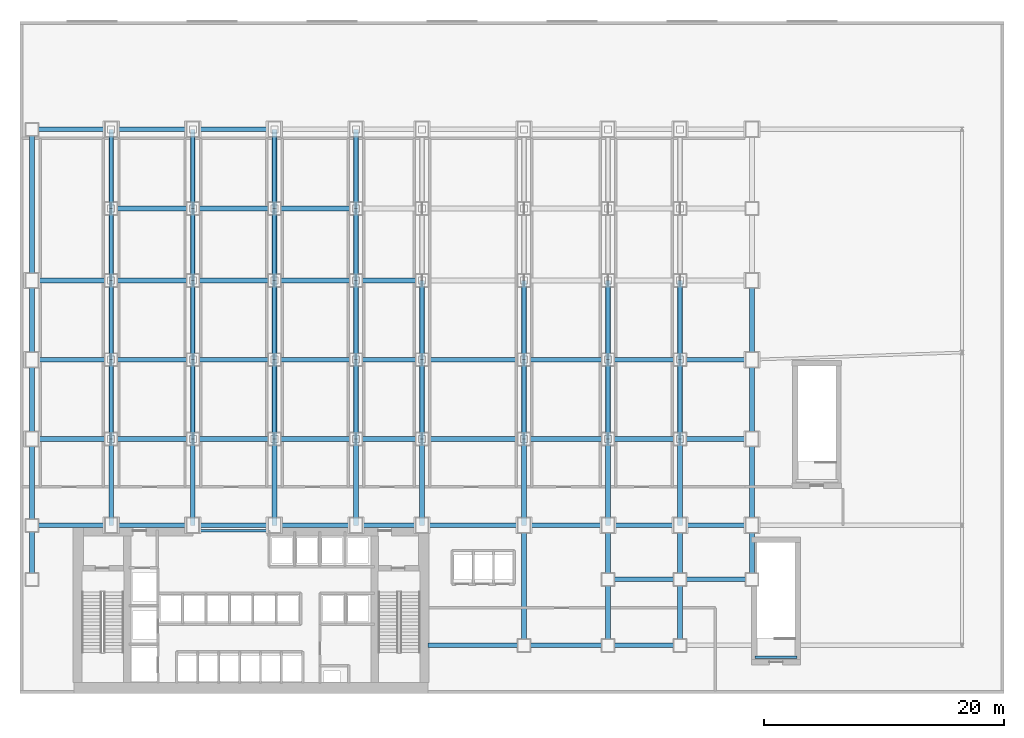
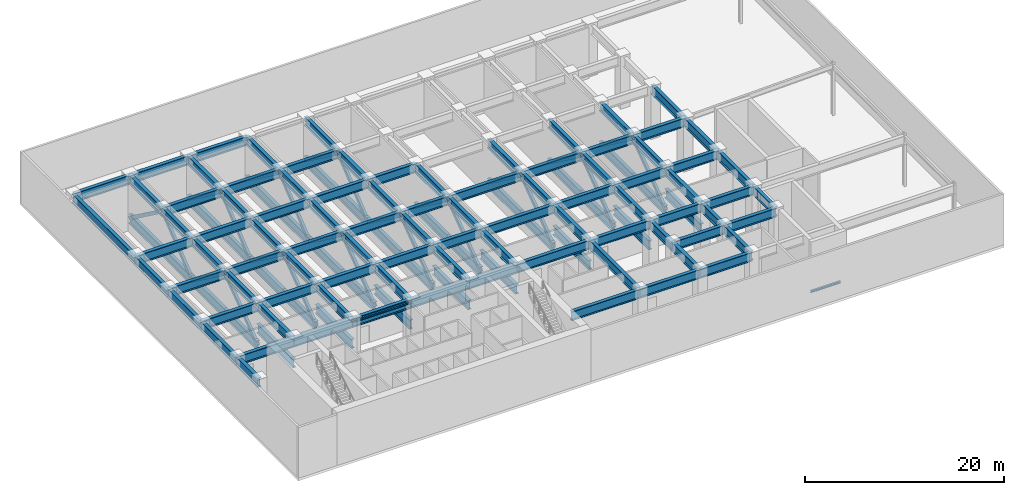
# One storey, part 4 of 15: 123 beams, 24 members.
"""IFC4 building model written with IfcOpenShell, lengths in metres."""

from ifc_helpers import new_model, si_unit, derived_unit, direction, frame, origin, origin_2d, place, context, subcontext, project, spatial, hollow_rectangle, i_section, extrude, source, transform, mapped, material, material_profile, profile_set, type_object, element, save


model = new_model("IFC4")

# Units and contexts
model_context = context("Model", 3, precision=1e-05, world=origin(), true_north=direction((0.0, 1.0)))
body_context = subcontext(model_context, "Body", "Model", "MODEL_VIEW")
ifc_project = project(units=[si_unit("LENGTHUNIT", "METRE"), si_unit("AREAUNIT", "SQUARE_METRE"), si_unit("VOLUMEUNIT", "CUBIC_METRE"), si_unit("PLANEANGLEUNIT", "RADIAN"), si_unit("MASSUNIT", "GRAM", prefix="KILO"), derived_unit("THERMALTRANSMITTANCEUNIT", [(si_unit("POWERUNIT", "WATT"), 1), (si_unit("LENGTHUNIT", "METRE"), -2), (si_unit("THERMODYNAMICTEMPERATUREUNIT", "KELVIN"), -1)])], contexts=[model_context])

# Site, building, storey
site_placement = place(None, origin())
site = spatial("IfcSite", under=ifc_project, at=site_placement, CompositionType="ELEMENT")
building_placement = place(site_placement, origin())
building = spatial("IfcBuilding", under=site, at=building_placement, Name="Skarnbrae Concourse Arena and Tower", CompositionType="ELEMENT")
storey_placement = place(building_placement, frame((0.0, 0.0, 26.0)))
storey = spatial("IfcBuildingStorey", under=building, at=storey_placement, Name="L05", CompositionType="ELEMENT", Elevation=26.0)

# Beams
ifc_material = material(Name="Steel CSA G40.21 350W", Category="steel")
ifc_material_profile_1 = material_profile(ifc_material, i_section(OverallWidth=0.202880859375, OverallDepth=0.251953125, WebThickness=0.008056640625, FlangeThickness=0.013427734375, at=origin_2d()), Name="W250X58")
ifc_profile_set_1 = profile_set([ifc_material_profile_1], Name="Steel CSA G40.21 350W")
beam_type_1 = type_object("IfcBeamType", Name="BM-LINTEL-W250X58", PredefinedType="LINTEL", material=ifc_profile_set_1)
shared_shape_1 = source(origin(), body_context, "Body", "SweptSolid", [
    extrude(i_section(OverallWidth=0.202880859375, OverallDepth=0.251953125, WebThickness=0.008056640625, FlangeThickness=0.013427734375, at=origin_2d()), origin(), (0.0, 0.0, 1.0), 7.0),
])
beam_1_placement = place(storey_placement, frame((14.0, 13.550048828125, 6.1240234375), z_axis=(1.0, 0.0, 0.0), x_axis=(0.0, 1.0, 0.0)))
element("IfcBeam", 1, at=beam_1_placement, inside=storey, type_object=beam_type_1, Name="L05 Core portal coupling lintel", PredefinedType="LINTEL", context=body_context, shape_type="MappedRepresentation", body=[
    mapped(shared_shape_1, transform((0.0, 0.0, 0.0))),
])
ifc_material_profile_2 = material_profile(ifc_material, i_section(OverallWidth=0.405029296875, OverallDepth=1.117919921875, WebThickness=0.02587890625, FlangeThickness=0.0458984375, at=origin_2d()), Name="W1100X499")
ifc_profile_set_2 = profile_set([ifc_material_profile_2], Name="Steel CSA G40.21 350W")
beam_type_2 = type_object("IfcBeamType", Name="BM-XFER-W1100X499", PredefinedType="BEAM", material=ifc_profile_set_2)
shared_shape_2 = source(origin(), body_context, "Body", "SweptSolid", [
    extrude(i_section(OverallWidth=0.405029296875, OverallDepth=1.117919921875, WebThickness=0.02587890625, FlangeThickness=0.0458984375, at=origin_2d()), origin(), (0.0, 0.0, 1.0), 6.60009765625),
])
for number, where, z_axis, x_axis, name in (
    (2, (1.0, 47.0, 5.69091796875), (1.0, 0.0, 0.0), (0.0, 1.0, 0.0), "L05 Podium north girder 1"),
    (3, (1.0, 14.0, 5.69091796875), (1.0, 0.0, 0.0), (0.0, 1.0, 0.0), "L05 Podium south spine girder 1"),
    (4, (1.0, 21.199951171875, 5.69091796875), (0.0, 1.0, 0.0), (-1.0, 0.0, 0.0), "L05 Podium west girder 3"),
    (5, (61.0, 21.199951171875, 5.69091796875), (0.0, 1.0, 0.0), (-1.0, 0.0, 0.0), "L05 Podium east girder 3"),
    (6, (7.60009765625, 21.199951171875, 5.69091796875), (0.0, 1.0, 0.0), (-1.0, 0.0, 0.0), "L05 Arena transfer trusses T1 top chord 2"),
    (7, (7.60009765625, 21.199951171875, 0.85009765625), (0.0, 1.0, 0.0), (-1.0, 0.0, 0.0), "L05 Arena transfer trusses T1 bottom chord 2"),
    (8, (7.60009765625, 40.39990234375, 5.69091796875), (0.0, 1.0, 0.0), (-1.0, 0.0, 0.0), "L05 Arena transfer trusses T1 top chord 5"),
    (9, (7.60009765625, 40.39990234375, 0.85009765625), (0.0, 1.0, 0.0), (-1.0, 0.0, 0.0), "L05 Arena transfer trusses T1 bottom chord 5"),
    (10, (14.39990234375, 21.199951171875, 5.69091796875), (0.0, 1.0, 0.0), (-1.0, 0.0, 0.0), "L05 Arena transfer trusses T2 top chord 2"),
    (11, (14.39990234375, 21.199951171875, 0.85009765625), (0.0, 1.0, 0.0), (-1.0, 0.0, 0.0), "L05 Arena transfer trusses T2 bottom chord 2"),
    (12, (14.39990234375, 40.39990234375, 5.69091796875), (0.0, 1.0, 0.0), (-1.0, 0.0, 0.0), "L05 Arena transfer trusses T2 top chord 5"),
    (13, (14.39990234375, 40.39990234375, 0.85009765625), (0.0, 1.0, 0.0), (-1.0, 0.0, 0.0), "L05 Arena transfer trusses T2 bottom chord 5"),
    (14, (21.199951171875, 21.199951171875, 5.69091796875), (0.0, 1.0, 0.0), (-1.0, 0.0, 0.0), "L05 Arena transfer trusses T3 top chord 2"),
    (15, (21.199951171875, 21.199951171875, 0.85009765625), (0.0, 1.0, 0.0), (-1.0, 0.0, 0.0), "L05 Arena transfer trusses T3 bottom chord 2"),
    (16, (21.199951171875, 40.39990234375, 5.69091796875), (0.0, 1.0, 0.0), (-1.0, 0.0, 0.0), "L05 Arena transfer trusses T3 top chord 5"),
    (17, (21.199951171875, 40.39990234375, 0.85009765625), (0.0, 1.0, 0.0), (-1.0, 0.0, 0.0), "L05 Arena transfer trusses T3 bottom chord 5"),
    (18, (28.0, 21.199951171875, 5.69091796875), (0.0, 1.0, 0.0), (-1.0, 0.0, 0.0), "L05 Arena transfer trusses T4 top chord 2"),
    (19, (28.0, 21.199951171875, 0.85009765625), (0.0, 1.0, 0.0), (-1.0, 0.0, 0.0), "L05 Arena transfer trusses T4 bottom chord 2"),
    (20, (28.0, 40.39990234375, 5.69091796875), (0.0, 1.0, 0.0), (-1.0, 0.0, 0.0), "L05 Arena transfer trusses T4 top chord 5"),
    (21, (28.0, 40.39990234375, 0.85009765625), (0.0, 1.0, 0.0), (-1.0, 0.0, 0.0), "L05 Arena transfer trusses T4 bottom chord 5"),
    (22, (33.5, 21.199951171875, 5.69091796875), (0.0, 1.0, 0.0), (-1.0, 0.0, 0.0), "L05 Arena transfer trusses T5 top chord 2"),
    (23, (33.5, 21.199951171875, 0.85009765625), (0.0, 1.0, 0.0), (-1.0, 0.0, 0.0), "L05 Arena transfer trusses T5 bottom chord 2"),
    (24, (42.0, 21.199951171875, 5.69091796875), (0.0, 1.0, 0.0), (-1.0, 0.0, 0.0), "L05 Arena transfer trusses T6 top chord 2"),
    (25, (42.0, 21.199951171875, 0.85009765625), (0.0, 1.0, 0.0), (-1.0, 0.0, 0.0), "L05 Arena transfer trusses T6 bottom chord 2"),
    (26, (49.0, 21.199951171875, 5.69091796875), (0.0, 1.0, 0.0), (-1.0, 0.0, 0.0), "L05 Arena transfer trusses T7 top chord 2"),
    (27, (49.0, 21.199951171875, 0.85009765625), (0.0, 1.0, 0.0), (-1.0, 0.0, 0.0), "L05 Arena transfer trusses T7 bottom chord 2"),
    (28, (55.0, 21.199951171875, 5.69091796875), (0.0, 1.0, 0.0), (-1.0, 0.0, 0.0), "L05 Arena transfer trusses T8 top chord 2"),
    (29, (55.0, 21.199951171875, 0.85009765625), (0.0, 1.0, 0.0), (-1.0, 0.0, 0.0), "L05 Arena transfer trusses T8 bottom chord 2"),
    (30, (1.0, 21.199951171875, 5.69091796875), (1.0, 0.0, 0.0), (0.0, 1.0, 0.0), "L05 Transfer cross girder Y21.2-1"),
    (31, (1.0, 27.800048828125, 5.69091796875), (1.0, 0.0, 0.0), (0.0, 1.0, 0.0), "L05 Transfer cross girder Y27.8-1"),
    (32, (1.0, 34.39990234375, 5.69091796875), (1.0, 0.0, 0.0), (0.0, 1.0, 0.0), "L05 Transfer cross girder Y34.4-1"),
):
    element("IfcBeam", number, at=place(storey_placement, frame(where, z_axis=z_axis, x_axis=x_axis)), inside=storey, type_object=beam_type_2, Name=name, PredefinedType="BEAM", context=body_context, shape_type="MappedRepresentation", body=[
        mapped(shared_shape_2, transform((0.0, 0.0, 0.0))),
    ])
shared_shape_3 = source(origin(), body_context, "Body", "SweptSolid", [
    extrude(i_section(OverallWidth=0.405029296875, OverallDepth=1.117919921875, WebThickness=0.02587890625, FlangeThickness=0.0458984375, at=origin_2d()), origin(), (0.0, 0.0, 1.0), 6.7998046875),
])
for number, where, z_axis, x_axis, name in (
    (33, (7.60009765625, 47.0, 5.69091796875), (1.0, 0.0, 0.0), (0.0, 1.0, 0.0), "L05 Podium north girder 2"),
    (34, (7.60009765625, 14.0, 5.69091796875), (1.0, 0.0, 0.0), (0.0, 1.0, 0.0), "L05 Podium south spine girder 2"),
    (35, (7.60009765625, 21.199951171875, 5.69091796875), (1.0, 0.0, 0.0), (0.0, 1.0, 0.0), "L05 Transfer cross girder Y21.2-2"),
    (36, (7.60009765625, 27.800048828125, 5.69091796875), (1.0, 0.0, 0.0), (0.0, 1.0, 0.0), "L05 Transfer cross girder Y27.8-2"),
    (37, (7.60009765625, 34.39990234375, 5.69091796875), (1.0, 0.0, 0.0), (0.0, 1.0, 0.0), "L05 Transfer cross girder Y34.4-2"),
    (38, (7.60009765625, 40.39990234375, 5.69091796875), (1.0, 0.0, 0.0), (0.0, 1.0, 0.0), "L05 Transfer cross girder Y40.4-2"),
):
    element("IfcBeam", number, at=place(storey_placement, frame(where, z_axis=z_axis, x_axis=x_axis)), inside=storey, type_object=beam_type_2, Name=name, PredefinedType="BEAM", context=body_context, shape_type="MappedRepresentation", body=[
        mapped(shared_shape_3, transform((0.0, 0.0, 0.0))),
    ])
shared_shape_4 = source(origin(), body_context, "Body", "SweptSolid", [
    extrude(i_section(OverallWidth=0.405029296875, OverallDepth=1.117919921875, WebThickness=0.02587890625, FlangeThickness=0.0458984375, at=origin_2d()), origin(), (0.0, 0.0, 1.0), 6.800048828125),
])
for number, where, z_axis, x_axis, name in (
    (39, (14.39990234375, 47.0, 5.69091796875), (1.0, 0.0, 0.0), (0.0, 1.0, 0.0), "L05 Podium north girder 3"),
    (40, (14.39990234375, 14.0, 5.69091796875), (1.0, 0.0, 0.0), (0.0, 1.0, 0.0), "L05 Podium south spine girder 3"),
    (41, (21.199951171875, 14.0, 5.69091796875), (1.0, 0.0, 0.0), (0.0, 1.0, 0.0), "L05 Podium south spine girder 4"),
    (42, (14.39990234375, 21.199951171875, 5.69091796875), (1.0, 0.0, 0.0), (0.0, 1.0, 0.0), "L05 Transfer cross girder Y21.2-3"),
    (43, (21.199951171875, 21.199951171875, 5.69091796875), (1.0, 0.0, 0.0), (0.0, 1.0, 0.0), "L05 Transfer cross girder Y21.2-4"),
    (44, (14.39990234375, 27.800048828125, 5.69091796875), (1.0, 0.0, 0.0), (0.0, 1.0, 0.0), "L05 Transfer cross girder Y27.8-3"),
    (45, (21.199951171875, 27.800048828125, 5.69091796875), (1.0, 0.0, 0.0), (0.0, 1.0, 0.0), "L05 Transfer cross girder Y27.8-4"),
    (46, (14.39990234375, 34.39990234375, 5.69091796875), (1.0, 0.0, 0.0), (0.0, 1.0, 0.0), "L05 Transfer cross girder Y34.4-3"),
    (47, (21.199951171875, 34.39990234375, 5.69091796875), (1.0, 0.0, 0.0), (0.0, 1.0, 0.0), "L05 Transfer cross girder Y34.4-4"),
    (48, (14.39990234375, 40.39990234375, 5.69091796875), (1.0, 0.0, 0.0), (0.0, 1.0, 0.0), "L05 Transfer cross girder Y40.4-3"),
    (49, (21.199951171875, 40.39990234375, 5.69091796875), (1.0, 0.0, 0.0), (0.0, 1.0, 0.0), "L05 Transfer cross girder Y40.4-4"),
):
    element("IfcBeam", number, at=place(storey_placement, frame(where, z_axis=z_axis, x_axis=x_axis)), inside=storey, type_object=beam_type_2, Name=name, PredefinedType="BEAM", context=body_context, shape_type="MappedRepresentation", body=[
        mapped(shared_shape_4, transform((0.0, 0.0, 0.0))),
    ])
shared_shape_5 = source(origin(), body_context, "Body", "SweptSolid", [
    extrude(i_section(OverallWidth=0.405029296875, OverallDepth=1.117919921875, WebThickness=0.02587890625, FlangeThickness=0.0458984375, at=origin_2d()), origin(), (0.0, 0.0, 1.0), 5.5),
])
for number, where, z_axis, x_axis, name in (
    (50, (28.0, 14.0, 5.69091796875), (1.0, 0.0, 0.0), (0.0, 1.0, 0.0), "L05 Podium south spine girder 5"),
    (51, (49.0, 4.0, 5.69091796875), (0.0, 1.0, 0.0), (-1.0, 0.0, 0.0), "L05 SE south tie 49"),
    (52, (55.0, 4.0, 5.69091796875), (0.0, 1.0, 0.0), (-1.0, 0.0, 0.0), "L05 SE south tie 55"),
    (53, (28.0, 21.199951171875, 5.69091796875), (1.0, 0.0, 0.0), (0.0, 1.0, 0.0), "L05 Transfer cross girder Y21.2-5"),
    (54, (28.0, 27.800048828125, 5.69091796875), (1.0, 0.0, 0.0), (0.0, 1.0, 0.0), "L05 Transfer cross girder Y27.8-5"),
    (55, (28.0, 34.39990234375, 5.69091796875), (1.0, 0.0, 0.0), (0.0, 1.0, 0.0), "L05 Transfer cross girder Y34.4-5"),
):
    element("IfcBeam", number, at=place(storey_placement, frame(where, z_axis=z_axis, x_axis=x_axis)), inside=storey, type_object=beam_type_2, Name=name, PredefinedType="BEAM", context=body_context, shape_type="MappedRepresentation", body=[
        mapped(shared_shape_5, transform((0.0, 0.0, 0.0))),
    ])
shared_shape_6 = source(origin(), body_context, "Body", "SweptSolid", [
    extrude(i_section(OverallWidth=0.405029296875, OverallDepth=1.117919921875, WebThickness=0.02587890625, FlangeThickness=0.0458984375, at=origin_2d()), origin(), (0.0, 0.0, 1.0), 8.5),
])
for number, where, z_axis, x_axis, name in (
    (56, (33.5, 14.0, 5.69091796875), (1.0, 0.0, 0.0), (0.0, 1.0, 0.0), "L05 Podium south spine girder 6"),
    (57, (33.5, 21.199951171875, 5.69091796875), (1.0, 0.0, 0.0), (0.0, 1.0, 0.0), "L05 Transfer cross girder Y21.2-6"),
    (58, (33.5, 27.800048828125, 5.69091796875), (1.0, 0.0, 0.0), (0.0, 1.0, 0.0), "L05 Transfer cross girder Y27.8-6"),
):
    element("IfcBeam", number, at=place(storey_placement, frame(where, z_axis=z_axis, x_axis=x_axis)), inside=storey, type_object=beam_type_2, Name=name, PredefinedType="BEAM", context=body_context, shape_type="MappedRepresentation", body=[
        mapped(shared_shape_6, transform((0.0, 0.0, 0.0))),
    ])
shared_shape_7 = source(origin(), body_context, "Body", "SweptSolid", [
    extrude(i_section(OverallWidth=0.405029296875, OverallDepth=1.117919921875, WebThickness=0.02587890625, FlangeThickness=0.0458984375, at=origin_2d()), origin(), (0.0, 0.0, 1.0), 7.0),
])
for number, where, z_axis, x_axis, name in (
    (59, (42.0, 14.0, 5.69091796875), (1.0, 0.0, 0.0), (0.0, 1.0, 0.0), "L05 Podium south spine girder 7"),
    (60, (42.0, 4.0, 5.69091796875), (1.0, 0.0, 0.0), (0.0, 1.0, 0.0), "L05 South-east girder 2"),
    (61, (42.0, 21.199951171875, 5.69091796875), (1.0, 0.0, 0.0), (0.0, 1.0, 0.0), "L05 Transfer cross girder Y21.2-7"),
    (62, (42.0, 27.800048828125, 5.69091796875), (1.0, 0.0, 0.0), (0.0, 1.0, 0.0), "L05 Transfer cross girder Y27.8-7"),
):
    element("IfcBeam", number, at=place(storey_placement, frame(where, z_axis=z_axis, x_axis=x_axis)), inside=storey, type_object=beam_type_2, Name=name, PredefinedType="BEAM", context=body_context, shape_type="MappedRepresentation", body=[
        mapped(shared_shape_7, transform((0.0, 0.0, 0.0))),
    ])
shared_shape_8 = source(origin(), body_context, "Body", "SweptSolid", [
    extrude(i_section(OverallWidth=0.405029296875, OverallDepth=1.117919921875, WebThickness=0.02587890625, FlangeThickness=0.0458984375, at=origin_2d()), origin(), (0.0, 0.0, 1.0), 6.0),
])
for number, where, z_axis, x_axis, name in (
    (63, (49.0, 14.0, 5.69091796875), (1.0, 0.0, 0.0), (0.0, 1.0, 0.0), "L05 Podium south spine girder 8"),
    (64, (55.0, 14.0, 5.69091796875), (1.0, 0.0, 0.0), (0.0, 1.0, 0.0), "L05 Podium south spine girder 9"),
    (65, (49.0, 9.5, 5.69091796875), (1.0, 0.0, 0.0), (0.0, 1.0, 0.0), "L05 SE elbow girder 1"),
    (66, (55.0, 9.5, 5.69091796875), (1.0, 0.0, 0.0), (0.0, 1.0, 0.0), "L05 SE elbow girder 2"),
    (67, (49.0, 4.0, 5.69091796875), (1.0, 0.0, 0.0), (0.0, 1.0, 0.0), "L05 South-east girder 3"),
    (68, (7.60009765625, 34.39990234375, 5.69091796875), (0.0, 1.0, 0.0), (-1.0, 0.0, 0.0), "L05 Arena transfer trusses T1 top chord 4"),
    (69, (7.60009765625, 34.39990234375, 0.85009765625), (0.0, 1.0, 0.0), (-1.0, 0.0, 0.0), "L05 Arena transfer trusses T1 bottom chord 4"),
    (70, (14.39990234375, 34.39990234375, 5.69091796875), (0.0, 1.0, 0.0), (-1.0, 0.0, 0.0), "L05 Arena transfer trusses T2 top chord 4"),
    (71, (14.39990234375, 34.39990234375, 0.85009765625), (0.0, 1.0, 0.0), (-1.0, 0.0, 0.0), "L05 Arena transfer trusses T2 bottom chord 4"),
    (72, (21.199951171875, 34.39990234375, 5.69091796875), (0.0, 1.0, 0.0), (-1.0, 0.0, 0.0), "L05 Arena transfer trusses T3 top chord 4"),
    (73, (21.199951171875, 34.39990234375, 0.85009765625), (0.0, 1.0, 0.0), (-1.0, 0.0, 0.0), "L05 Arena transfer trusses T3 bottom chord 4"),
    (74, (28.0, 34.39990234375, 5.69091796875), (0.0, 1.0, 0.0), (-1.0, 0.0, 0.0), "L05 Arena transfer trusses T4 top chord 4"),
    (75, (28.0, 34.39990234375, 0.85009765625), (0.0, 1.0, 0.0), (-1.0, 0.0, 0.0), "L05 Arena transfer trusses T4 bottom chord 4"),
    (76, (49.0, 21.199951171875, 5.69091796875), (1.0, 0.0, 0.0), (0.0, 1.0, 0.0), "L05 Transfer cross girder Y21.2-8"),
    (77, (55.0, 21.199951171875, 5.69091796875), (1.0, 0.0, 0.0), (0.0, 1.0, 0.0), "L05 Transfer cross girder Y21.2-9"),
    (78, (49.0, 27.800048828125, 5.69091796875), (1.0, 0.0, 0.0), (0.0, 1.0, 0.0), "L05 Transfer cross girder Y27.8-8"),
    (79, (55.0, 27.800048828125, 5.69091796875), (1.0, 0.0, 0.0), (0.0, 1.0, 0.0), "L05 Transfer cross girder Y27.8-9"),
):
    element("IfcBeam", number, at=place(storey_placement, frame(where, z_axis=z_axis, x_axis=x_axis)), inside=storey, type_object=beam_type_2, Name=name, PredefinedType="BEAM", context=body_context, shape_type="MappedRepresentation", body=[
        mapped(shared_shape_8, transform((0.0, 0.0, 0.0))),
    ])
shared_shape_9 = source(origin(), body_context, "Body", "SweptSolid", [
    extrude(i_section(OverallWidth=0.405029296875, OverallDepth=1.117919921875, WebThickness=0.02587890625, FlangeThickness=0.0458984375, at=origin_2d()), origin(), (0.0, 0.0, 1.0), 4.5),
])
for number, where, z_axis, x_axis, name in (
    (80, (1.0, 9.5, 5.69091796875), (0.0, 1.0, 0.0), (-1.0, 0.0, 0.0), "L05 Podium west girder 1"),
    (81, (61.0, 9.5, 5.69091796875), (0.0, 1.0, 0.0), (-1.0, 0.0, 0.0), "L05 Podium east girder 1"),
    (82, (49.0, 9.5, 5.69091796875), (0.0, 1.0, 0.0), (-1.0, 0.0, 0.0), "L05 SE north tie 49"),
    (83, (55.0, 9.5, 5.69091796875), (0.0, 1.0, 0.0), (-1.0, 0.0, 0.0), "L05 SE north tie 55"),
):
    element("IfcBeam", number, at=place(storey_placement, frame(where, z_axis=z_axis, x_axis=x_axis)), inside=storey, type_object=beam_type_2, Name=name, PredefinedType="BEAM", context=body_context, shape_type="MappedRepresentation", body=[
        mapped(shared_shape_9, transform((0.0, 0.0, 0.0))),
    ])
shared_shape_10 = source(origin(), body_context, "Body", "SweptSolid", [
    extrude(i_section(OverallWidth=0.405029296875, OverallDepth=1.117919921875, WebThickness=0.02587890625, FlangeThickness=0.0458984375, at=origin_2d()), origin(), (0.0, 0.0, 1.0), 7.199951171875),
])
for number, where, z_axis, x_axis, name in (
    (84, (1.0, 14.0, 5.69091796875), (0.0, 1.0, 0.0), (-1.0, 0.0, 0.0), "L05 Podium west girder 2"),
    (85, (61.0, 14.0, 5.69091796875), (0.0, 1.0, 0.0), (-1.0, 0.0, 0.0), "L05 Podium east girder 2"),
    (86, (7.60009765625, 14.0, 5.69091796875), (0.0, 1.0, 0.0), (-1.0, 0.0, 0.0), "L05 Arena transfer trusses T1 top chord 1"),
    (87, (7.60009765625, 14.0, 3.02001953125), (0.0, 1.0, 0.0), (-1.0, 0.0, 0.0), "L05 Arena transfer trusses T1 bottom chord 1"),
    (88, (14.39990234375, 14.0, 5.69091796875), (0.0, 1.0, 0.0), (-1.0, 0.0, 0.0), "L05 Arena transfer trusses T2 top chord 1"),
    (89, (14.39990234375, 14.0, 3.02001953125), (0.0, 1.0, 0.0), (-1.0, 0.0, 0.0), "L05 Arena transfer trusses T2 bottom chord 1"),
    (90, (21.199951171875, 14.0, 5.69091796875), (0.0, 1.0, 0.0), (-1.0, 0.0, 0.0), "L05 Arena transfer trusses T3 top chord 1"),
    (91, (21.199951171875, 14.0, 3.02001953125), (0.0, 1.0, 0.0), (-1.0, 0.0, 0.0), "L05 Arena transfer trusses T3 bottom chord 1"),
    (92, (28.0, 14.0, 5.69091796875), (0.0, 1.0, 0.0), (-1.0, 0.0, 0.0), "L05 Arena transfer trusses T4 top chord 1"),
    (93, (28.0, 14.0, 3.02001953125), (0.0, 1.0, 0.0), (-1.0, 0.0, 0.0), "L05 Arena transfer trusses T4 bottom chord 1"),
    (94, (33.5, 14.0, 5.69091796875), (0.0, 1.0, 0.0), (-1.0, 0.0, 0.0), "L05 Arena transfer trusses T5 top chord 1"),
    (95, (33.5, 14.0, 3.02001953125), (0.0, 1.0, 0.0), (-1.0, 0.0, 0.0), "L05 Arena transfer trusses T5 bottom chord 1"),
    (96, (42.0, 14.0, 5.69091796875), (0.0, 1.0, 0.0), (-1.0, 0.0, 0.0), "L05 Arena transfer trusses T6 top chord 1"),
    (97, (42.0, 14.0, 3.02001953125), (0.0, 1.0, 0.0), (-1.0, 0.0, 0.0), "L05 Arena transfer trusses T6 bottom chord 1"),
    (98, (49.0, 14.0, 5.69091796875), (0.0, 1.0, 0.0), (-1.0, 0.0, 0.0), "L05 Arena transfer trusses T7 top chord 1"),
    (99, (49.0, 14.0, 3.02001953125), (0.0, 1.0, 0.0), (-1.0, 0.0, 0.0), "L05 Arena transfer trusses T7 bottom chord 1"),
    (100, (55.0, 14.0, 5.69091796875), (0.0, 1.0, 0.0), (-1.0, 0.0, 0.0), "L05 Arena transfer trusses T8 top chord 1"),
    (101, (55.0, 14.0, 3.02001953125), (0.0, 1.0, 0.0), (-1.0, 0.0, 0.0), "L05 Arena transfer trusses T8 bottom chord 1"),
):
    element("IfcBeam", number, at=place(storey_placement, frame(where, z_axis=z_axis, x_axis=x_axis)), inside=storey, type_object=beam_type_2, Name=name, PredefinedType="BEAM", context=body_context, shape_type="MappedRepresentation", body=[
        mapped(shared_shape_10, transform((0.0, 0.0, 0.0))),
    ])
shared_shape_11 = source(origin(), body_context, "Body", "SweptSolid", [
    extrude(i_section(OverallWidth=0.405029296875, OverallDepth=1.117919921875, WebThickness=0.02587890625, FlangeThickness=0.0458984375, at=origin_2d()), origin(), (0.0, 0.0, 1.0), 6.599853515625),
])
for number, where, z_axis, x_axis, name in (
    (102, (1.0, 27.800048828125, 5.69091796875), (0.0, 1.0, 0.0), (-1.0, 0.0, 0.0), "L05 Podium west girder 4"),
    (103, (61.0, 27.800048828125, 5.69091796875), (0.0, 1.0, 0.0), (-1.0, 0.0, 0.0), "L05 Podium east girder 4"),
    (104, (7.60009765625, 27.800048828125, 5.69091796875), (0.0, 1.0, 0.0), (-1.0, 0.0, 0.0), "L05 Arena transfer trusses T1 top chord 3"),
    (105, (7.60009765625, 27.800048828125, 0.85009765625), (0.0, 1.0, 0.0), (-1.0, 0.0, 0.0), "L05 Arena transfer trusses T1 bottom chord 3"),
    (106, (14.39990234375, 27.800048828125, 5.69091796875), (0.0, 1.0, 0.0), (-1.0, 0.0, 0.0), "L05 Arena transfer trusses T2 top chord 3"),
    (107, (14.39990234375, 27.800048828125, 0.85009765625), (0.0, 1.0, 0.0), (-1.0, 0.0, 0.0), "L05 Arena transfer trusses T2 bottom chord 3"),
    (108, (21.199951171875, 27.800048828125, 5.69091796875), (0.0, 1.0, 0.0), (-1.0, 0.0, 0.0), "L05 Arena transfer trusses T3 top chord 3"),
    (109, (21.199951171875, 27.800048828125, 0.85009765625), (0.0, 1.0, 0.0), (-1.0, 0.0, 0.0), "L05 Arena transfer trusses T3 bottom chord 3"),
    (110, (28.0, 27.800048828125, 5.69091796875), (0.0, 1.0, 0.0), (-1.0, 0.0, 0.0), "L05 Arena transfer trusses T4 top chord 3"),
    (111, (28.0, 27.800048828125, 0.85009765625), (0.0, 1.0, 0.0), (-1.0, 0.0, 0.0), "L05 Arena transfer trusses T4 bottom chord 3"),
    (112, (33.5, 27.800048828125, 5.69091796875), (0.0, 1.0, 0.0), (-1.0, 0.0, 0.0), "L05 Arena transfer trusses T5 top chord 3"),
    (113, (33.5, 27.800048828125, 0.85009765625), (0.0, 1.0, 0.0), (-1.0, 0.0, 0.0), "L05 Arena transfer trusses T5 bottom chord 3"),
    (114, (42.0, 27.800048828125, 5.69091796875), (0.0, 1.0, 0.0), (-1.0, 0.0, 0.0), "L05 Arena transfer trusses T6 top chord 3"),
    (115, (42.0, 27.800048828125, 0.85009765625), (0.0, 1.0, 0.0), (-1.0, 0.0, 0.0), "L05 Arena transfer trusses T6 bottom chord 3"),
    (116, (49.0, 27.800048828125, 5.69091796875), (0.0, 1.0, 0.0), (-1.0, 0.0, 0.0), "L05 Arena transfer trusses T7 top chord 3"),
    (117, (49.0, 27.800048828125, 0.85009765625), (0.0, 1.0, 0.0), (-1.0, 0.0, 0.0), "L05 Arena transfer trusses T7 bottom chord 3"),
    (118, (55.0, 27.800048828125, 5.69091796875), (0.0, 1.0, 0.0), (-1.0, 0.0, 0.0), "L05 Arena transfer trusses T8 top chord 3"),
    (119, (55.0, 27.800048828125, 0.85009765625), (0.0, 1.0, 0.0), (-1.0, 0.0, 0.0), "L05 Arena transfer trusses T8 bottom chord 3"),
):
    element("IfcBeam", number, at=place(storey_placement, frame(where, z_axis=z_axis, x_axis=x_axis)), inside=storey, type_object=beam_type_2, Name=name, PredefinedType="BEAM", context=body_context, shape_type="MappedRepresentation", body=[
        mapped(shared_shape_11, transform((0.0, 0.0, 0.0))),
    ])
shared_shape_12 = source(origin(), body_context, "Body", "SweptSolid", [
    extrude(i_section(OverallWidth=0.405029296875, OverallDepth=1.117919921875, WebThickness=0.02587890625, FlangeThickness=0.0458984375, at=origin_2d()), origin(), (0.0, 0.0, 1.0), 12.60009765625),
])
beam_2_placement = place(storey_placement, frame((1.0, 34.39990234375, 5.69091796875), z_axis=(0.0, 1.0, 0.0), x_axis=(-1.0, 0.0, 0.0)))
element("IfcBeam", 120, at=beam_2_placement, inside=storey, type_object=beam_type_2, Name="L05 Podium west girder 5", PredefinedType="BEAM", context=body_context, shape_type="MappedRepresentation", body=[
    mapped(shared_shape_12, transform((0.0, 0.0, 0.0))),
])
shared_shape_13 = source(origin(), body_context, "Body", "SweptSolid", [
    extrude(i_section(OverallWidth=0.405029296875, OverallDepth=1.117919921875, WebThickness=0.02587890625, FlangeThickness=0.0458984375, at=origin_2d()), origin(), (0.0, 0.0, 1.0), 8.0),
])
beam_3_placement = place(storey_placement, frame((34.0, 4.0, 5.69091796875), z_axis=(1.0, 0.0, 0.0), x_axis=(0.0, 1.0, 0.0)))
element("IfcBeam", 121, at=beam_3_placement, inside=storey, type_object=beam_type_2, Name="L05 South-east girder 1", PredefinedType="BEAM", context=body_context, shape_type="MappedRepresentation", body=[
    mapped(shared_shape_13, transform((0.0, 0.0, 0.0))),
])
shared_shape_14 = source(origin(), body_context, "Body", "SweptSolid", [
    extrude(i_section(OverallWidth=0.405029296875, OverallDepth=1.117919921875, WebThickness=0.02587890625, FlangeThickness=0.0458984375, at=origin_2d()), origin(), (0.0, 0.0, 1.0), 10.0),
])
beam_4_placement = place(storey_placement, frame((42.0, 4.0, 5.69091796875), z_axis=(0.0, 1.0, 0.0), x_axis=(-1.0, 0.0, 0.0)))
element("IfcBeam", 122, at=beam_4_placement, inside=storey, type_object=beam_type_2, Name="L05 SE cross tie 42", PredefinedType="BEAM", context=body_context, shape_type="MappedRepresentation", body=[
    mapped(shared_shape_14, transform((0.0, 0.0, 0.0))),
])

# Members
ifc_material_profile_3 = material_profile(ifc_material, hollow_rectangle(XDim=0.3046875, YDim=0.406494140625, WallThickness=0.01904296875, at=origin_2d()), Name="HSS406X305X19.0")
ifc_profile_set_3 = profile_set([ifc_material_profile_3], Name="Steel CSA G40.21 350W")
member_type = type_object("IfcMemberType", Name="MEM-DIAG-HSS406X305", PredefinedType="BRACE", material=ifc_profile_set_3)
shared_shape_15 = source(origin(), body_context, "Body", "SweptSolid", [
    extrude(hollow_rectangle(XDim=0.3046875, YDim=0.406494140625, WallThickness=0.01904296875, at=origin_2d()), origin(), (0.0, 0.0, 1.0), 8.18505859375),
])
for number, where, z_axis, x_axis, name in (
    (123, (7.60009765625, 21.199951171875, 0.85009765625), (0.0, 0.806361372842, 0.591423144955), (-1.0, 0.0, 0.0), "L05 Arena transfer trusses T1 diagonal 2"),
    (124, (7.60009765625, 40.39990234375, 5.69091796875), (0.0, 0.806361372842, -0.591423144955), (-1.0, 0.0, 0.0), "L05 Arena transfer trusses T1 diagonal 5"),
    (125, (14.39990234375, 21.199951171875, 0.85009765625), (0.0, 0.806361372842, 0.591423144955), (-1.0, 0.0, 0.0), "L05 Arena transfer trusses T2 diagonal 2"),
    (126, (14.39990234375, 40.39990234375, 5.69091796875), (0.0, 0.806361372842, -0.591423144955), (-1.0, 0.0, 0.0), "L05 Arena transfer trusses T2 diagonal 5"),
    (127, (21.199951171875, 21.199951171875, 0.85009765625), (0.0, 0.806361372842, 0.591423144955), (-1.0, 0.0, 0.0), "L05 Arena transfer trusses T3 diagonal 2"),
    (128, (21.199951171875, 40.39990234375, 5.69091796875), (0.0, 0.806361372842, -0.591423144955), (-1.0, 0.0, 0.0), "L05 Arena transfer trusses T3 diagonal 5"),
    (129, (28.0, 21.199951171875, 0.85009765625), (0.0, 0.806361372842, 0.591423144955), (-1.0, 0.0, 0.0), "L05 Arena transfer trusses T4 diagonal 2"),
    (130, (28.0, 40.39990234375, 5.69091796875), (0.0, 0.806361372842, -0.591423144955), (-1.0, 0.0, 0.0), "L05 Arena transfer trusses T4 diagonal 5"),
    (131, (33.5, 21.199951171875, 0.85009765625), (0.0, 0.806361372842, 0.591423144955), (-1.0, 0.0, 0.0), "L05 Arena transfer trusses T5 diagonal 2"),
    (132, (42.0, 21.199951171875, 0.85009765625), (0.0, 0.806361372842, 0.591423144955), (-1.0, 0.0, 0.0), "L05 Arena transfer trusses T6 diagonal 2"),
    (133, (49.0, 21.199951171875, 0.85009765625), (0.0, 0.806361372842, 0.591423144955), (-1.0, 0.0, 0.0), "L05 Arena transfer trusses T7 diagonal 2"),
    (134, (55.0, 21.199951171875, 0.85009765625), (0.0, 0.806361372842, 0.591423144955), (-1.0, 0.0, 0.0), "L05 Arena transfer trusses T8 diagonal 2"),
):
    element("IfcMember", number, at=place(storey_placement, frame(where, z_axis=z_axis, x_axis=x_axis)), inside=storey, type_object=member_type, Name=name, PredefinedType="BRACE", context=body_context, shape_type="MappedRepresentation", body=[
        mapped(shared_shape_15, transform((0.0, 0.0, 0.0))),
    ])
shared_shape_16 = source(origin(), body_context, "Body", "SweptSolid", [
    extrude(hollow_rectangle(XDim=0.3046875, YDim=0.406494140625, WallThickness=0.01904296875, at=origin_2d()), origin(), (0.0, 0.0, 1.0), 8.184814453125),
])
for number, where, z_axis, x_axis, name in (
    (135, (7.60009765625, 27.800048828125, 5.69091796875), (0.0, 0.806350939301, -0.591437370047), (-1.0, 0.0, 0.0), "L05 Arena transfer trusses T1 diagonal 3"),
    (136, (14.39990234375, 27.800048828125, 5.69091796875), (0.0, 0.806350939301, -0.591437370047), (-1.0, 0.0, 0.0), "L05 Arena transfer trusses T2 diagonal 3"),
    (137, (21.199951171875, 27.800048828125, 5.69091796875), (0.0, 0.806350939301, -0.591437370047), (-1.0, 0.0, 0.0), "L05 Arena transfer trusses T3 diagonal 3"),
    (138, (28.0, 27.800048828125, 5.69091796875), (0.0, 0.806350939301, -0.591437370047), (-1.0, 0.0, 0.0), "L05 Arena transfer trusses T4 diagonal 3"),
    (139, (33.5, 27.800048828125, 5.69091796875), (0.0, 0.806350939301, -0.591437370047), (-1.0, 0.0, 0.0), "L05 Arena transfer trusses T5 diagonal 3"),
    (140, (42.0, 27.800048828125, 5.69091796875), (0.0, 0.806350939301, -0.591437370047), (-1.0, 0.0, 0.0), "L05 Arena transfer trusses T6 diagonal 3"),
    (141, (49.0, 27.800048828125, 5.69091796875), (0.0, 0.806350939301, -0.591437370047), (-1.0, 0.0, 0.0), "L05 Arena transfer trusses T7 diagonal 3"),
    (142, (55.0, 27.800048828125, 5.69091796875), (0.0, 0.806350939301, -0.591437370047), (-1.0, 0.0, 0.0), "L05 Arena transfer trusses T8 diagonal 3"),
):
    element("IfcMember", number, at=place(storey_placement, frame(where, z_axis=z_axis, x_axis=x_axis)), inside=storey, type_object=member_type, Name=name, PredefinedType="BRACE", context=body_context, shape_type="MappedRepresentation", body=[
        mapped(shared_shape_16, transform((0.0, 0.0, 0.0))),
    ])
shared_shape_17 = source(origin(), body_context, "Body", "SweptSolid", [
    extrude(hollow_rectangle(XDim=0.3046875, YDim=0.406494140625, WallThickness=0.01904296875, at=origin_2d()), origin(), (0.0, 0.0, 1.0), 7.709228515625),
])
for number, where, z_axis, x_axis, name in (
    (143, (7.60009765625, 34.39990234375, 0.85009765625), (0.0, 0.778279240358, 0.627918325921), (-1.0, 0.0, 0.0), "L05 Arena transfer trusses T1 diagonal 4"),
    (144, (14.39990234375, 34.39990234375, 0.85009765625), (0.0, 0.778279240358, 0.627918325921), (-1.0, 0.0, 0.0), "L05 Arena transfer trusses T2 diagonal 4"),
    (145, (21.199951171875, 34.39990234375, 0.85009765625), (0.0, 0.778279240358, 0.627918325921), (-1.0, 0.0, 0.0), "L05 Arena transfer trusses T3 diagonal 4"),
    (146, (28.0, 34.39990234375, 0.85009765625), (0.0, 0.778279240358, 0.627918325921), (-1.0, 0.0, 0.0), "L05 Arena transfer trusses T4 diagonal 4"),
):
    element("IfcMember", number, at=place(storey_placement, frame(where, z_axis=z_axis, x_axis=x_axis)), inside=storey, type_object=member_type, Name=name, PredefinedType="BRACE", context=body_context, shape_type="MappedRepresentation", body=[
        mapped(shared_shape_17, transform((0.0, 0.0, 0.0))),
    ])

# Beam
shared_shape_18 = source(origin(), body_context, "Body", "SweptSolid", [
    extrude(i_section(OverallWidth=0.202880859375, OverallDepth=0.251953125, WebThickness=0.008056640625, FlangeThickness=0.013427734375, at=origin_2d()), origin(), (0.0, 0.0, 1.0), 3.5),
])
beam_5_placement = place(storey_placement, frame((64.75, 3.02001953125, -0.325927734375), z_axis=(-1.0, 0.0, 0.0), x_axis=(0.0, -1.0, 0.0)))
element("IfcBeam", 147, at=beam_5_placement, inside=storey, type_object=beam_type_1, Name="L05 Stair ST-A1 near landing soffit beam", PredefinedType="LINTEL", context=body_context, shape_type="MappedRepresentation", body=[
    mapped(shared_shape_18, transform((0.0, 0.0, 0.0))),
])

save(model, "model.ifc")
